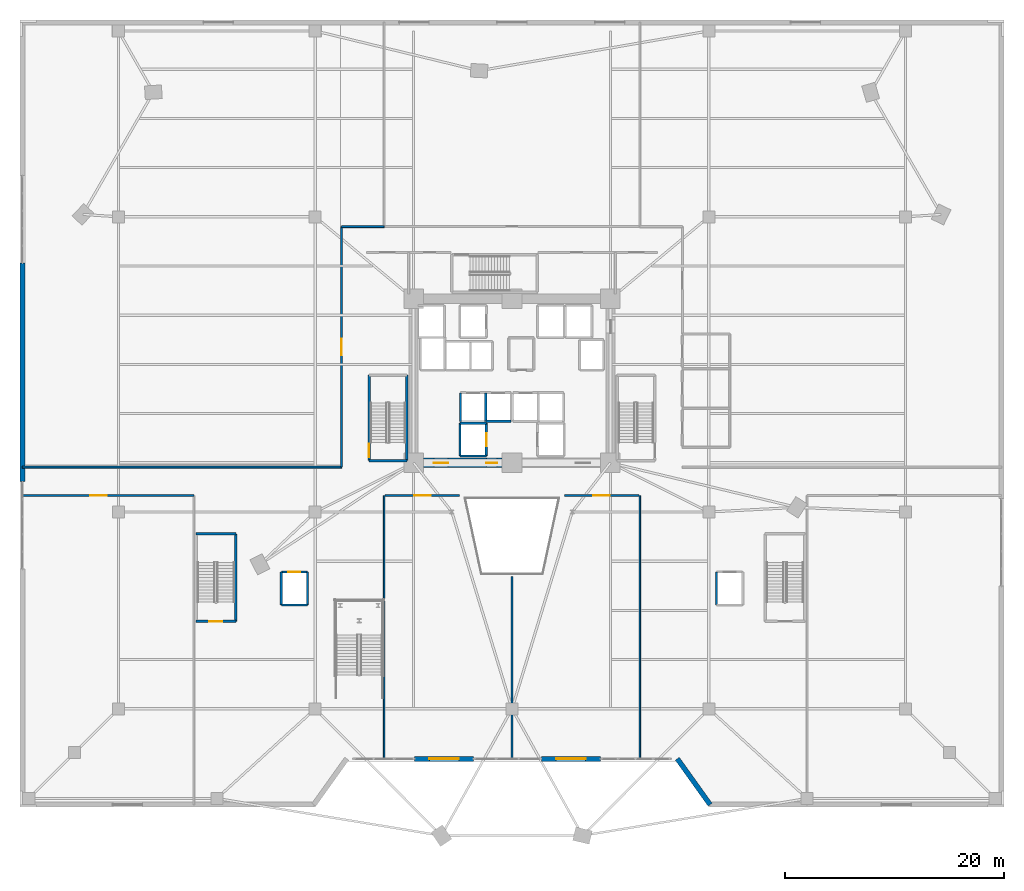
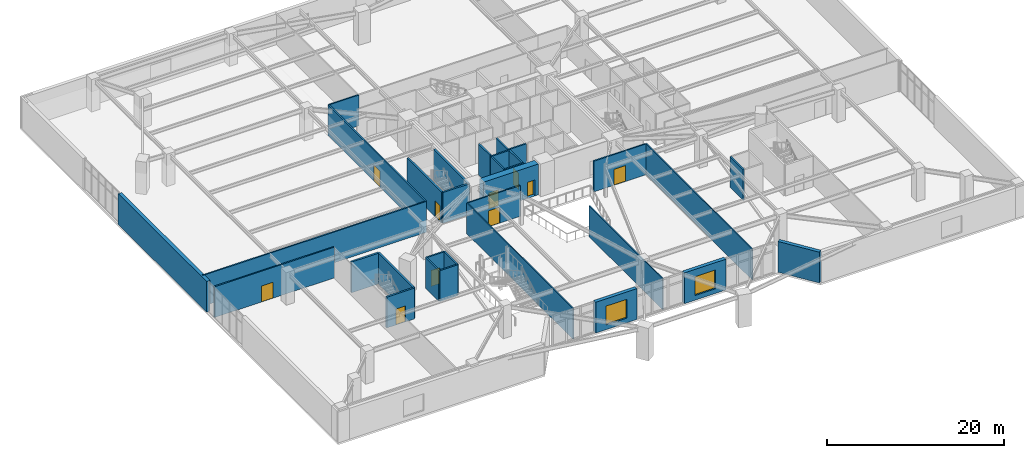
# One storey, part 19 of 29: 32 walls, 10 doors, 2 windows, 12 openings.
"""IFC4 building model written with IfcOpenShell, lengths in metres."""

import ifcopenshell
import ifcopenshell.guid

model = None  # the IFC model being written
_history = None  # IfcOwnerHistory: only IFC2X3 demands one
_inside = {}  # id of a spatial element -> (the spatial element, [elements in it])
_under = {}  # id of a project, library or spatial element -> (it, [spatial elements below it])
_declared = {}  # id of a project -> (the project, [libraries it declares])
_typed = {}  # id of a type object -> (the type object, [elements of that type])
_made_of = {}  # id of a material, layer set ... -> (it, [elements and type objects made of it])


def new_model(schema):
    """Start an empty IFC model of exactly this schema.

    Asked for "IFC4X3", IfcOpenShell would pick the latest addendum, in which some entities
    have other attributes; the version numbers below select the first issue.
    IFC2X3 requires an IfcOwnerHistory on every rooted entity: one is made here for all.
    """
    global model, _history
    if schema == "IFC4X3":
        model = ifcopenshell.file(schema_version=(4, 3, 0, 0))
    else:
        model = ifcopenshell.file(schema=schema)
    _inside.clear()
    _under.clear()
    _declared.clear()
    _typed.clear()
    _made_of.clear()
    _history = None
    if model.schema == "IFC2X3":
        org = make("IfcOrganization", Name="unknown")
        user = make(
            "IfcPersonAndOrganization",
            ThePerson=make("IfcPerson", FamilyName="unknown"),
            TheOrganization=org,
        )
        app = make(
            "IfcApplication",
            ApplicationDeveloper=org,
            Version="unknown",
            ApplicationFullName="unknown",
            ApplicationIdentifier="unknown",
        )
        _history = make(
            "IfcOwnerHistory",
            OwningUser=user,
            OwningApplication=app,
            ChangeAction="ADDED",
            CreationDate=0,
        )
    return model


def make(cls, **values):
    """One entity of the class cls with the attributes given. An attribute that is None is left unset."""
    return model.create_entity(
        cls, **{name: value for name, value in values.items() if value is not None}
    )


def rooted(cls, **values):
    """An entity with a GlobalId (a new one), such as an element, a storey or a relation."""
    return make(cls, GlobalId=ifcopenshell.guid.new(), OwnerHistory=_history, **values)


def si_unit(unit_type, name, prefix=None):
    """IfcSIUnit, for example si_unit("LENGTHUNIT", "METRE", prefix="MILLI")."""
    return make("IfcSIUnit", UnitType=unit_type, Prefix=prefix, Name=name)


def assignment(units):
    """IfcUnitAssignment: the units of a project."""
    return None if units is None else make("IfcUnitAssignment", Units=units)


def point(xyz):
    """IfcCartesianPoint."""
    return None if xyz is None else make("IfcCartesianPoint", Coordinates=xyz)


def direction(xyz):
    """IfcDirection."""
    return None if xyz is None else make("IfcDirection", DirectionRatios=xyz)


def frame(location, z_axis=None, x_axis=None):
    """IfcAxis2Placement3D, a coordinate frame: its origin and axes. An axis left out is left unset."""
    return make(
        "IfcAxis2Placement3D",
        Location=point(location),
        Axis=direction(z_axis),
        RefDirection=direction(x_axis),
    )


def frame_2d(location, x_axis=None):
    """IfcAxis2Placement2D, a coordinate frame in the plane: its origin and x axis."""
    return make(
        "IfcAxis2Placement2D", Location=point(location), RefDirection=direction(x_axis)
    )


def origin():
    """The frame at (0, 0, 0) with its axes left unset."""
    return frame((0.0, 0.0, 0.0))


def place(relative_to, where):
    """IfcLocalPlacement: puts the frame where relative to a parent placement (None: the world)."""
    return make(
        "IfcLocalPlacement", PlacementRelTo=relative_to, RelativePlacement=where
    )


def context(
    kind, dimensions, precision=None, world=None, true_north=None, identifier=None
):
    """IfcGeometricRepresentationContext, for example the 3D "Model" context."""
    return make(
        "IfcGeometricRepresentationContext",
        ContextIdentifier=identifier,
        ContextType=kind,
        CoordinateSpaceDimension=dimensions,
        Precision=precision,
        WorldCoordinateSystem=world,
        TrueNorth=true_north,
    )


def subcontext(parent, identifier, kind, view, scale=None):
    """IfcGeometricRepresentationSubContext, for example "Body" below "Model"."""
    return make(
        "IfcGeometricRepresentationSubContext",
        ContextIdentifier=identifier,
        ContextType=kind,
        ParentContext=parent,
        TargetScale=scale,
        TargetView=view,
    )


def project(units=None, contexts=None):
    """IfcProject with its units and contexts."""
    return rooted(
        "IfcProject",
        Name="project",
        RepresentationContexts=contexts,
        UnitsInContext=assignment(units),
    )


def spatial(cls, under=None, at=None, **own):
    """A site, building, storey or space (cls), placed at a placement, below another one or the project."""
    s = rooted(cls, ObjectPlacement=at, **own)
    if under is not None:
        _under.setdefault(under.id(), (under, []))[1].append(s)
    return s


def profile(cls, at=None, kind="AREA", **sizes):
    """A parametric profile (cls). Its sizes go by their IFC names, for example OverallWidth=200.0."""
    return make(cls, ProfileType=kind, Position=at, **sizes)


def rectangle(**sizes):
    """IfcRectangleProfileDef."""
    return profile("IfcRectangleProfileDef", **sizes)


def extrude(swept, where, along, depth):
    """IfcExtrudedAreaSolid: the profile swept, set in the frame where, extruded along a direction by depth."""
    return make(
        "IfcExtrudedAreaSolid",
        SweptArea=swept,
        Position=where,
        ExtrudedDirection=direction(along),
        Depth=depth,
    )


def shape(context_of_items, identifier, shape_type, items):
    """IfcShapeRepresentation: the items that make up one representation, for example the "Body"."""
    return make(
        "IfcShapeRepresentation",
        ContextOfItems=context_of_items,
        RepresentationIdentifier=identifier,
        RepresentationType=shape_type,
        Items=items,
    )


def source(mapping_origin, context_of_items, identifier, shape_type, items):
    """IfcRepresentationMap: a shape defined once, which mapped items show again and again."""
    return make(
        "IfcRepresentationMap",
        MappingOrigin=mapping_origin,
        MappedRepresentation=shape(context_of_items, identifier, shape_type, items),
    )


def transform(
    local_origin,
    x_axis=None,
    y_axis=None,
    z_axis=None,
    scale=None,
    scale2=None,
    scale3=None,
    uniform=True,
):
    """IfcCartesianTransformationOperator3D, or its non-uniform kind. x_axis, y_axis, z_axis: its Axis1, 2, 3."""
    if uniform:
        return make(
            "IfcCartesianTransformationOperator3D",
            Axis1=direction(x_axis),
            Axis2=direction(y_axis),
            LocalOrigin=point(local_origin),
            Scale=scale,
            Axis3=direction(z_axis),
        )
    return make(
        "IfcCartesianTransformationOperator3DnonUniform",
        Axis1=direction(x_axis),
        Axis2=direction(y_axis),
        LocalOrigin=point(local_origin),
        Scale=scale,
        Axis3=direction(z_axis),
        Scale2=scale2,
        Scale3=scale3,
    )


def mapped(mapping_source, mapping_target):
    """IfcMappedItem: shows the shape of a source again, moved by a transform."""
    return make(
        "IfcMappedItem", MappingSource=mapping_source, MappingTarget=mapping_target
    )


def material(Name=None, Category=None):
    """IfcMaterial."""
    return make("IfcMaterial", Name=Name, Category=Category)


def layer(
    of_material, thickness, ventilated=None, Name=None, Category=None, Priority=None
):
    """IfcMaterialLayer: one layer of a wall or slab, of a material (None: an air gap)."""
    return make(
        "IfcMaterialLayer",
        Material=of_material,
        LayerThickness=thickness,
        IsVentilated=ventilated,
        Name=Name,
        Category=Category,
        Priority=Priority,
    )


def layer_set(layers, Name=None):
    """IfcMaterialLayerSet."""
    return make("IfcMaterialLayerSet", MaterialLayers=layers, LayerSetName=Name)


def made_of(thing, what):
    """Note that an element or type object is made of a material, layer set ...; save() writes the relation."""
    if what is not None:
        _made_of.setdefault(what.id(), (what, []))[1].append(thing)
    return thing


def type_object(cls, material=None, **own):
    """A type object (cls), such as IfcWallType, which elements share."""
    return made_of(rooted(cls, **own), material)


def element(
    cls,
    number,
    at=None,
    inside=None,
    cuts=None,
    type_object=None,
    material=None,
    context=None,
    identifier="Body",
    shape_type=None,
    held_by="IfcProductDefinitionShape",
    body=None,
    shapes=None,
    **own,
):
    """One element of the class cls, such as IfcWall. Its Tag is "e" and its number.

    at: its placement. inside: the storey or other place that contains it. cuts: it is an
    opening in that element (IfcRelVoidsElement). A single representation is given by context,
    identifier, shape_type and body (its items); several are given by shapes. held_by: the class
    of the entity that holds the representations. save() writes the other relations.
    """
    e = rooted(cls, Tag="e%d" % number, ObjectPlacement=at, **own)
    if body is not None:
        shapes = [shape(context, identifier, shape_type, body)]
    if shapes is not None:
        e.Representation = make(held_by, Representations=shapes)
    if inside is not None:
        _inside.setdefault(inside.id(), (inside, []))[1].append(e)
    if cuts is not None:
        rooted(
            "IfcRelVoidsElement", RelatingBuildingElement=cuts, RelatedOpeningElement=e
        )
    if type_object is not None:
        _typed.setdefault(type_object.id(), (type_object, []))[1].append(e)
    return made_of(e, material)


def fill(opening, filler):
    """IfcRelFillsElement: the door or window that sits in an opening."""
    return rooted(
        "IfcRelFillsElement",
        RelatingOpeningElement=opening,
        RelatedBuildingElement=filler,
    )


def aggregate(whole, parts):
    """IfcRelAggregates: a whole, such as a stair, and the parts it consists of."""
    return rooted("IfcRelAggregates", RelatingObject=whole, RelatedObjects=parts)


def save(model, path):
    """Write the relations noted so far, then the file.

    IfcRelAggregates (storeys below a building ...), IfcRelContainedInSpatialStructure (elements
    in a storey), IfcRelDefinesByType, IfcRelAssociatesMaterial and IfcRelDeclares: one each for
    every whole, place, type object, material and project.
    """
    for whole, parts in _under.values():
        aggregate(whole, parts)
    for where, things in _inside.values():
        rooted(
            "IfcRelContainedInSpatialStructure",
            RelatedElements=things,
            RelatingStructure=where,
        )
    for kind, things in _typed.values():
        rooted("IfcRelDefinesByType", RelatedObjects=things, RelatingType=kind)
    for what, things in _made_of.values():
        rooted("IfcRelAssociatesMaterial", RelatedObjects=things, RelatingMaterial=what)
    for by, libraries in _declared.values():
        rooted("IfcRelDeclares", RelatingContext=by, RelatedDefinitions=libraries)
    model.write(path)


model = new_model("IFC4")

# Units and contexts
model_context = context("Model", 3, precision=1e-05, world=origin(), true_north=direction((0.0, 1.0)))
body_context = subcontext(model_context, "Body", "Model", "MODEL_VIEW")
ifc_project = project(units=[si_unit("LENGTHUNIT", "METRE"), si_unit("AREAUNIT", "SQUARE_METRE"), si_unit("VOLUMEUNIT", "CUBIC_METRE"), si_unit("PLANEANGLEUNIT", "RADIAN"), si_unit("MASSUNIT", "GRAM", prefix="KILO")], contexts=[model_context])

# Site, building, storey
site_placement = place(None, origin())
site = spatial("IfcSite", under=ifc_project, at=site_placement, CompositionType="ELEMENT")
building_placement = place(site_placement, origin())
building = spatial("IfcBuilding", under=site, at=building_placement, Name="Liaohun Quay Tower", CompositionType="ELEMENT")
storey_placement = place(building_placement, frame((0.0, 0.0, 5.39990234375)))
storey = spatial("IfcBuildingStorey", under=building, at=storey_placement, Name="L02", CompositionType="ELEMENT", Elevation=5.39990234375)

# Wall, openings, doors
ifc_material_1 = material(Name="Concrete C60", Category="concrete")
ifc_layer_1 = layer(ifc_material_1, 0.85009765625, Name="Concrete C60", Category="concrete")
ifc_layer_set_1 = layer_set([ifc_layer_1], Name="Concrete C60")
wall_type_1 = type_object("IfcWallType", Name="WAL-COR-Z1", PredefinedType="SHEAR", material=ifc_layer_set_1)
wall_1_placement = place(storey_placement, frame((59.10009765625, 46.5, 0.0), z_axis=(0.0, 0.0, 1.0), x_axis=(-1.0, 0.0, 0.0)))
wall_1 = element("IfcWall", 1, at=wall_1_placement, inside=storey, type_object=wall_type_1, Name="L02 Central Core Shear Wall S-W", PredefinedType="SHEAR", context=body_context, shape_type="SweptSolid", body=[
    extrude(rectangle(XDim=7.2001953125, YDim=0.85009765625, at=frame_2d((3.60009765625, 0.0))), origin(), (0.0, 0.0, 1.0), 4.25),
])
shared_shape_1 = source(origin(), body_context, "Body", "SweptSolid", [
    extrude(rectangle(XDim=1.300048828125, YDim=2.199951171875, at=frame_2d((0.64990234375, 1.10009765625))), frame((0.0, 0.43505859375, 0.0), z_axis=(0.0, -1.0, 0.0), x_axis=(1.0, 0.0, 0.0)), (0.0, 0.0, 1.0), 0.8701171875),
])
opening_1_placement = place(wall_1_placement, frame((4.949951171875, 0.0, 0.0)))
opening_1 = element("IfcOpeningElement", 2, at=opening_1_placement, cuts=wall_1, Name="Opening FD1", PredefinedType="OPENING", context=body_context, shape_type="MappedRepresentation", body=[
    mapped(shared_shape_1, transform((0.0, 0.0, 0.0), x_axis=(1.0, 0.0, 0.0), y_axis=(0.0, 1.0, 0.0), z_axis=(0.0, 0.0, 1.0), scale=1.0)),
])
shared_shape_2 = source(origin(), body_context, "Body", "SweptSolid", [
    extrude(rectangle(XDim=1.0, YDim=2.199951171875, at=frame_2d((0.5, 1.10009765625))), frame((0.0, 0.43505859375, 0.0), z_axis=(0.0, -1.0, 0.0), x_axis=(1.0, 0.0, 0.0)), (0.0, 0.0, 1.0), 0.8701171875),
])
opening_2_placement = place(wall_1_placement, frame((0.449951171875, 0.0, 0.0)))
opening_2 = element("IfcOpeningElement", 3, at=opening_2_placement, cuts=wall_1, Name="Opening FD2", PredefinedType="OPENING", context=body_context, shape_type="MappedRepresentation", body=[
    mapped(shared_shape_2, transform((0.0, 0.0, 0.0), x_axis=(1.0, 0.0, 0.0), y_axis=(0.0, 1.0, 0.0), z_axis=(0.0, 0.0, 1.0), scale=1.0)),
])
ifc_material_2 = material(Name="Galvanised steel smokeproof fire door", Category="steel")
door_type_1 = type_object("IfcDoorType", Name="DOR-FFL-1300", OperationType="NOTDEFINED", PredefinedType="DOOR", material=ifc_material_2)
shared_shape_3 = source(origin(), body_context, "Body", "SweptSolid", [
    extrude(rectangle(XDim=1.300048828125, YDim=2.199951171875, at=frame_2d((0.64990234375, 1.10009765625))), frame((0.0, 0.02490234375, 0.0), z_axis=(0.0, -1.0, 0.0), x_axis=(1.0, 0.0, 0.0)), (0.0, 0.0, 1.0), 0.050048828125),
])
door_1_placement = place(opening_1_placement, origin())
door_1 = element("IfcDoor", 4, at=door_1_placement, inside=storey, type_object=door_type_1, Name="L02 West Core Lift Lobby Smokeproof Door", OperationType="SINGLE_SWING_RIGHT", OverallHeight=2.199951171875, OverallWidth=1.300048828125, PredefinedType="DOOR", context=body_context, shape_type="MappedRepresentation", body=[
    mapped(shared_shape_3, transform((0.0, 0.0, 0.0), x_axis=(1.0, 0.0, 0.0), y_axis=(0.0, 1.0, 0.0), z_axis=(0.0, 0.0, 1.0), scale=1.0)),
])
fill(opening_1, door_1)
ifc_material_3 = material(Name="Galvanised steel smokeproof lobby fire door", Category="steel")
door_type_2 = type_object("IfcDoorType", Name="DOR-FFL-1000", OperationType="NOTDEFINED", PredefinedType="DOOR", material=ifc_material_3)
shared_shape_4 = source(origin(), body_context, "Body", "SweptSolid", [
    extrude(rectangle(XDim=1.0, YDim=2.199951171875, at=frame_2d((0.5, 1.10009765625))), frame((0.0, 0.02490234375, 0.0), z_axis=(0.0, -1.0, 0.0), x_axis=(1.0, 0.0, 0.0)), (0.0, 0.0, 1.0), 0.050048828125),
])
door_2_placement = place(opening_2_placement, origin())
door_2 = element("IfcDoor", 5, at=door_2_placement, inside=storey, type_object=door_type_2, Name="L02 South Firefighting Lobby Smokeproof Door", OperationType="SINGLE_SWING_LEFT", OverallHeight=2.199951171875, OverallWidth=1.0, PredefinedType="DOOR", context=body_context, shape_type="MappedRepresentation", body=[
    mapped(shared_shape_4, transform((0.0, 0.0, 0.0), x_axis=(1.0, 0.0, 0.0), y_axis=(0.0, 1.0, 0.0), z_axis=(0.0, 0.0, 1.0), scale=1.0)),
])
fill(opening_2, door_2)

# Wall, opening, window
ifc_material_4 = material(Name="Precast concrete C50 with granite facing", Category="masonry")
ifc_layer_2 = layer(ifc_material_4, 0.4599609375, Name="Precast concrete C50 with granite facing", Category="masonry")
ifc_layer_set_2 = layer_set([ifc_layer_2], Name="Precast concrete C50 with granite facing")
wall_type_2 = type_object("IfcWallType", Name="WAL-EXT-POD", PredefinedType="SOLIDWALL", material=ifc_layer_set_2)
wall_2_placement = place(storey_placement, frame((51.08203125, 19.429931640625, 0.0), z_axis=(0.0, 0.0, 1.0), x_axis=(1.0, 0.0, 0.0)))
wall_2 = element("IfcWall", 6, at=wall_2_placement, inside=storey, type_object=wall_type_2, Name="L02 Waterfront Entrance Portal Wall E", PredefinedType="SOLIDWALL", context=body_context, shape_type="SweptSolid", body=[
    extrude(rectangle(XDim=5.39990234375, YDim=0.4599609375, at=frame_2d((2.699951171875, 0.0))), origin(), (0.0, 0.0, 1.0), 4.25),
])
shared_shape_5 = source(origin(), body_context, "Body", "SweptSolid", [
    extrude(rectangle(XDim=2.699951171875, YDim=2.60009765625, at=frame_2d((1.35009765625, 1.300048828125))), frame((0.0, 0.239990234375, 0.0), z_axis=(0.0, -1.0, 0.0), x_axis=(1.0, 0.0, 0.0)), (0.0, 0.0, 1.0), 0.47998046875),
])
opening_3_placement = place(wall_2_placement, frame((1.35009765625, 0.0, 0.64990234375)))
opening_3 = element("IfcOpeningElement", 7, at=opening_3_placement, cuts=wall_2, Name="Opening W06", PredefinedType="OPENING", context=body_context, shape_type="MappedRepresentation", body=[
    mapped(shared_shape_5, transform((0.0, 0.0, 0.0), x_axis=(1.0, 0.0, 0.0), y_axis=(0.0, 1.0, 0.0), z_axis=(0.0, 0.0, 1.0), scale=1.0)),
])
ifc_material_5 = material(Name="Triple Low-E waterfront podium glazing", Category="glass")
window_type = type_object("IfcWindowType", Name="WIN-POD-ARC", PartitioningType="TRIPLE_PANEL_VERTICAL", PredefinedType="WINDOW", material=ifc_material_5)
shared_shape_6 = source(origin(), body_context, "Body", "SweptSolid", [
    extrude(rectangle(XDim=2.699951171875, YDim=2.60009765625, at=frame_2d((1.35009765625, 1.300048828125))), frame((0.0, 0.030029296875, 0.0), z_axis=(0.0, -1.0, 0.0), x_axis=(1.0, 0.0, 0.0)), (0.0, 0.0, 1.0), 0.06005859375),
])
window_1_placement = place(opening_3_placement, origin())
window_1 = element("IfcWindow", 8, at=window_1_placement, inside=storey, type_object=window_type, Name="L02 Waterfront Arcade Window E", OverallHeight=2.60009765625, OverallWidth=2.699951171875, PartitioningType="TRIPLE_PANEL_VERTICAL", PredefinedType="WINDOW", context=body_context, shape_type="MappedRepresentation", body=[
    mapped(shared_shape_6, transform((0.0, 0.0, 0.0), x_axis=(1.0, 0.0, 0.0), y_axis=(0.0, 1.0, 0.0), z_axis=(0.0, 0.0, 1.0), scale=1.0)),
])
fill(opening_3, window_1)

wall_3_placement = place(storey_placement, frame((62.681884765625, 19.429931640625, 0.0), z_axis=(0.0, 0.0, 1.0), x_axis=(1.0, 0.0, 0.0)))
wall_3 = element("IfcWall", 9, at=wall_3_placement, inside=storey, type_object=wall_type_2, Name="L02 Waterfront Entrance Portal Wall W", PredefinedType="SOLIDWALL", context=body_context, shape_type="SweptSolid", body=[
    extrude(rectangle(XDim=5.400146484375, YDim=0.4599609375, at=frame_2d((2.7001953125, 0.0))), origin(), (0.0, 0.0, 1.0), 4.25),
])
opening_4_placement = place(wall_3_placement, frame((1.35009765625, 0.0, 0.64990234375)))
opening_4 = element("IfcOpeningElement", 10, at=opening_4_placement, cuts=wall_3, Name="Opening W06", PredefinedType="OPENING", context=body_context, shape_type="MappedRepresentation", body=[
    mapped(shared_shape_5, transform((0.0, 0.0, 0.0), x_axis=(1.0, 0.0, 0.0), y_axis=(0.0, 1.0, 0.0), z_axis=(0.0, 0.0, 1.0), scale=1.0)),
])
window_2_placement = place(opening_4_placement, origin())
window_2 = element("IfcWindow", 11, at=window_2_placement, inside=storey, type_object=window_type, Name="L02 Waterfront Arcade Window W", OverallHeight=2.60009765625, OverallWidth=2.699951171875, PartitioningType="TRIPLE_PANEL_VERTICAL", PredefinedType="WINDOW", context=body_context, shape_type="MappedRepresentation", body=[
    mapped(shared_shape_6, transform((0.0, 0.0, 0.0), x_axis=(1.0, 0.0, 0.0), y_axis=(0.0, 1.0, 0.0), z_axis=(0.0, 0.0, 1.0), scale=1.0)),
])
fill(opening_4, window_2)

# Walls
wall_4_placement = place(storey_placement, frame((75.117919921875, 19.429931640625, 0.0), z_axis=(0.0, 0.0, 1.0), x_axis=(0.581242668191, -0.813730275137, 0.0)))
element("IfcWall", 12, at=wall_4_placement, inside=storey, type_object=wall_type_2, Name="L02 Podium Precast Facade Wall 03", PredefinedType="SOLIDWALL", context=body_context, shape_type="SweptSolid", body=[
    extrude(rectangle(XDim=5.161376953125, YDim=0.4599609375, at=frame_2d((2.58056640625, 0.0))), origin(), (0.0, 0.0, 1.0), 4.25),
])
wall_5_placement = place(storey_placement, frame((15.22998046875, 64.77001953125, 0.0), z_axis=(0.0, 0.0, 1.0), x_axis=(0.0, -1.0, 0.0)))
element("IfcWall", 13, at=wall_5_placement, inside=storey, type_object=wall_type_2, Name="L02 Podium Precast Facade Wall 7-2", PredefinedType="SOLIDWALL", context=body_context, shape_type="SweptSolid", body=[
    extrude(rectangle(XDim=20.0, YDim=0.4599609375, at=frame_2d((10.0, 0.0))), origin(), (0.0, 0.0, 1.0), 4.25),
])

# Wall, opening, door
ifc_material_6 = material(Name="Autoclaved aerated concrete blockwork", Category="masonry")
ifc_layer_3 = layer(ifc_material_6, 0.179931640625, Name="Autoclaved aerated concrete blockwork", Category="masonry")
ifc_layer_set_3 = layer_set([ifc_layer_3], Name="Autoclaved aerated concrete blockwork")
wall_type_3 = type_object("IfcWallType", Name="WAL-PRT-COR", PredefinedType="PARTITIONING", material=ifc_layer_set_3)
wall_6_placement = place(storey_placement, frame((48.39990234375, 43.5, 0.0), z_axis=(0.0, 0.0, 1.0), x_axis=(1.0, 0.0, 0.0)))
wall_6 = element("IfcWall", 14, at=wall_6_placement, inside=storey, type_object=wall_type_3, Name="L02 Interior Partition Wall 009", PredefinedType="PARTITIONING", context=body_context, shape_type="SweptSolid", body=[
    extrude(rectangle(XDim=6.800048828125, YDim=0.179931640625, at=frame_2d((3.39990234375, 0.0))), origin(), (0.0, 0.0, 1.0), 4.25),
])
shared_shape_7 = source(origin(), body_context, "Body", "SweptSolid", [
    extrude(rectangle(XDim=1.5, YDim=2.199951171875, at=frame_2d((0.75, 1.10009765625))), frame((0.0, 0.099853515625, 0.0), z_axis=(0.0, -1.0, 0.0), x_axis=(1.0, 0.0, 0.0)), (0.0, 0.0, 1.0), 0.199951171875),
])
opening_5_placement = place(wall_6_placement, frame((2.64990234375, 0.0, 0.0)))
opening_5 = element("IfcOpeningElement", 15, at=opening_5_placement, cuts=wall_6, Name="Opening OD2", PredefinedType="OPENING", context=body_context, shape_type="MappedRepresentation", body=[
    mapped(shared_shape_7, transform((0.0, 0.0, 0.0), x_axis=(1.0, 0.0, 0.0), y_axis=(0.0, 1.0, 0.0), z_axis=(0.0, 0.0, 1.0), scale=1.0)),
])
ifc_material_7 = material(Name="Acoustic oak veneer double door")
door_type_3 = type_object("IfcDoorType", Name="DOR-OFF-1500", OperationType="DOUBLE_DOOR_SINGLE_SWING", PredefinedType="DOOR", material=ifc_material_7)
shared_shape_8 = source(origin(), body_context, "Body", "SweptSolid", [
    extrude(rectangle(XDim=1.5, YDim=2.199951171875, at=frame_2d((0.75, 1.10009765625))), frame((0.0, 0.02490234375, 0.0), z_axis=(0.0, -1.0, 0.0), x_axis=(1.0, 0.0, 0.0)), (0.0, 0.0, 1.0), 0.050048828125),
])
door_3_placement = place(opening_5_placement, origin())
door_3 = element("IfcDoor", 16, at=door_3_placement, inside=storey, type_object=door_type_3, Name="L02 Atrium Belvedere Lounge West Door", OperationType="DOUBLE_DOOR_SINGLE_SWING", OverallHeight=2.199951171875, OverallWidth=1.5, PredefinedType="DOOR", context=body_context, shape_type="MappedRepresentation", body=[
    mapped(shared_shape_8, transform((0.0, 0.0, 0.0), x_axis=(1.0, 0.0, 0.0), y_axis=(0.0, 1.0, 0.0), z_axis=(0.0, 0.0, 1.0), scale=1.0)),
])
fill(opening_5, door_3)

wall_7_placement = place(storey_placement, frame((64.800048828125, 43.5, 0.0), z_axis=(0.0, 0.0, 1.0), x_axis=(1.0, 0.0, 0.0)))
wall_7 = element("IfcWall", 17, at=wall_7_placement, inside=storey, type_object=wall_type_3, Name="L02 Interior Partition Wall 010", PredefinedType="PARTITIONING", context=body_context, shape_type="SweptSolid", body=[
    extrude(rectangle(XDim=6.800048828125, YDim=0.179931640625, at=frame_2d((3.39990234375, 0.0))), origin(), (0.0, 0.0, 1.0), 4.25),
])
opening_6_placement = place(wall_7_placement, frame((2.64990234375, 0.0, 0.0)))
opening_6 = element("IfcOpeningElement", 18, at=opening_6_placement, cuts=wall_7, Name="Opening OD2", PredefinedType="OPENING", context=body_context, shape_type="MappedRepresentation", body=[
    mapped(shared_shape_7, transform((0.0, 0.0, 0.0), x_axis=(1.0, 0.0, 0.0), y_axis=(0.0, 1.0, 0.0), z_axis=(0.0, 0.0, 1.0), scale=1.0)),
])
door_4_placement = place(opening_6_placement, origin())
door_4 = element("IfcDoor", 19, at=door_4_placement, inside=storey, type_object=door_type_3, Name="L02 Atrium Belvedere Lounge East Door", OperationType="DOUBLE_DOOR_SINGLE_SWING", OverallHeight=2.199951171875, OverallWidth=1.5, PredefinedType="DOOR", context=body_context, shape_type="MappedRepresentation", body=[
    mapped(shared_shape_8, transform((0.0, 0.0, 0.0), x_axis=(1.0, 0.0, 0.0), y_axis=(0.0, 1.0, 0.0), z_axis=(0.0, 0.0, 1.0), scale=1.0)),
])
fill(opening_6, door_4)

wall_8_placement = place(storey_placement, frame((15.22509765625, 43.5, 0.0), z_axis=(0.0, 0.0, 1.0), x_axis=(1.0, 0.0, 0.0)))
wall_8 = element("IfcWall", 20, at=wall_8_placement, inside=storey, type_object=wall_type_3, Name="L02 Interior Partition Wall 011", PredefinedType="PARTITIONING", context=body_context, shape_type="SweptSolid", body=[
    extrude(rectangle(XDim=15.6748046875, YDim=0.179931640625, at=frame_2d((7.83740234375, 0.0))), origin(), (0.0, 0.0, 1.0), 4.25),
])
opening_7_placement = place(wall_8_placement, frame((6.18798828125, 0.0, 0.0)))
opening_7 = element("IfcOpeningElement", 21, at=opening_7_placement, cuts=wall_8, Name="Opening OD2", PredefinedType="OPENING", context=body_context, shape_type="MappedRepresentation", body=[
    mapped(shared_shape_7, transform((0.0, 0.0, 0.0), x_axis=(1.0, 0.0, 0.0), y_axis=(0.0, 1.0, 0.0), z_axis=(0.0, 0.0, 1.0), scale=1.0)),
])
door_5_placement = place(opening_7_placement, origin())
door_5 = element("IfcDoor", 22, at=door_5_placement, inside=storey, type_object=door_type_3, Name="L02 West Podium Retail Gallery Door", OperationType="DOUBLE_DOOR_SINGLE_SWING", OverallHeight=2.199951171875, OverallWidth=1.5, PredefinedType="DOOR", context=body_context, shape_type="MappedRepresentation", body=[
    mapped(shared_shape_8, transform((0.0, 0.0, 0.0), x_axis=(1.0, 0.0, 0.0), y_axis=(0.0, 1.0, 0.0), z_axis=(0.0, 0.0, 1.0), scale=1.0)),
])
fill(opening_7, door_5)

wall_9_placement = place(storey_placement, frame((44.419921875, 46.10009765625, 0.0), z_axis=(0.0, 0.0, 1.0), x_axis=(0.0, 1.0, 0.0)))
wall_9 = element("IfcWall", 23, at=wall_9_placement, inside=storey, type_object=wall_type_3, Name="L02 Interior Partition Wall 013", PredefinedType="PARTITIONING", context=body_context, shape_type="SweptSolid", body=[
    extrude(rectangle(XDim=22.0, YDim=0.179931640625, at=frame_2d((11.0, 0.0))), origin(), (0.0, 0.0, 1.0), 4.25),
])
opening_8_placement = place(wall_9_placement, frame((10.25, 0.0, 0.0)))
opening_8 = element("IfcOpeningElement", 24, at=opening_8_placement, cuts=wall_9, Name="Opening OD2", PredefinedType="OPENING", context=body_context, shape_type="MappedRepresentation", body=[
    mapped(shared_shape_7, transform((0.0, 0.0, 0.0), x_axis=(1.0, 0.0, 0.0), y_axis=(0.0, 1.0, 0.0), z_axis=(0.0, 0.0, 1.0), scale=1.0)),
])
door_6_placement = place(opening_8_placement, origin())
door_6 = element("IfcDoor", 25, at=door_6_placement, inside=storey, type_object=door_type_3, Name="L02 Northwest Design Showroom Door", OperationType="DOUBLE_DOOR_SINGLE_SWING", OverallHeight=2.199951171875, OverallWidth=1.5, PredefinedType="DOOR", context=body_context, shape_type="MappedRepresentation", body=[
    mapped(shared_shape_8, transform((0.0, 0.0, 0.0), x_axis=(1.0, 0.0, 0.0), y_axis=(0.0, 1.0, 0.0), z_axis=(0.0, 0.0, 1.0), scale=1.0)),
])
fill(opening_8, door_6)

# Walls
wall_10_placement = place(storey_placement, frame((15.22509765625, 46.10009765625, 0.0), z_axis=(0.0, 0.0, 1.0), x_axis=(1.0, 0.0, 0.0)))
element("IfcWall", 26, at=wall_10_placement, inside=storey, type_object=wall_type_3, Name="L02 Interior Partition Wall 024", PredefinedType="PARTITIONING", context=body_context, shape_type="SweptSolid", body=[
    extrude(rectangle(XDim=29.19482421875, YDim=0.179931640625, at=frame_2d((14.597412109375, 0.0))), origin(), (0.0, 0.0, 1.0), 4.25),
])
wall_11_placement = place(storey_placement, frame((44.419921875, 68.10009765625, 0.0), z_axis=(0.0, 0.0, 1.0), x_axis=(1.0, 0.0, 0.0)))
element("IfcWall", 27, at=wall_11_placement, inside=storey, type_object=wall_type_3, Name="L02 Interior Partition Wall 026", PredefinedType="PARTITIONING", context=body_context, shape_type="SweptSolid", body=[
    extrude(rectangle(XDim=3.880126953125, YDim=0.179931640625, at=frame_2d((1.93994140625, 0.0))), origin(), (0.0, 0.0, 1.0), 4.25),
])
ifc_material_8 = material(Name="Gypsum board on twin steel studs", Category="steel")
ifc_layer_4 = layer(ifc_material_8, 0.139892578125, Name="Gypsum board on twin steel studs", Category="steel")
ifc_layer_set_4 = layer_set([ifc_layer_4], Name="Gypsum board on twin steel studs")
wall_type_4 = type_object("IfcWallType", Name="WAL-PRT-OFF", PredefinedType="PARTITIONING", material=ifc_layer_set_4)
for number, where, z_axis, x_axis, name in (
    (28, (48.300048828125, 19.425048828125, 0.0), (0.0, 0.0, 1.0), (0.0, 1.0, 0.0), "L02 Interior Partition Wall 030"),
    (29, (71.699951171875, 19.425048828125, 0.0), (0.0, 0.0, 1.0), (0.0, 1.0, 0.0), "L02 Interior Partition Wall 031"),
):
    element("IfcWall", number, at=place(storey_placement, frame(where, z_axis=z_axis, x_axis=x_axis)), inside=storey, type_object=wall_type_4, Name=name, PredefinedType="PARTITIONING", context=body_context, shape_type="SweptSolid", body=[
        extrude(rectangle(XDim=24.074951171875, YDim=0.139892578125, at=frame_2d((12.03759765625, 0.0))), origin(), (0.0, 0.0, 1.0), 4.25),
    ])
wall_12_placement = place(storey_placement, frame((60.0, 19.425048828125, 0.0), z_axis=(0.0, 0.0, 1.0), x_axis=(0.0, 1.0, 0.0)))
element("IfcWall", 30, at=wall_12_placement, inside=storey, type_object=wall_type_4, Name="L02 Interior Partition Wall 032", PredefinedType="PARTITIONING", context=body_context, shape_type="SweptSolid", body=[
    extrude(rectangle(XDim=16.675048828125, YDim=0.139892578125, at=frame_2d((8.33740234375, 0.0))), origin(), (0.0, 0.0, 1.0), 4.25),
])
ifc_material_9 = material(Name="Concrete C50", Category="concrete")
ifc_layer_5 = layer(ifc_material_9, 0.239990234375, Name="Concrete C50", Category="concrete")
ifc_layer_set_5 = layer_set([ifc_layer_5], Name="Concrete C50")
wall_type_5 = type_object("IfcWallType", Name="WAL-SHF-200", PredefinedType="SOLIDWALL", material=ifc_layer_set_5)
wall_13_placement = place(storey_placement, frame((46.93994140625, 46.699951171875, 0.0), z_axis=(0.0, 0.0, 1.0), x_axis=(1.0, 0.0, 0.0)))
element("IfcWall", 31, at=wall_13_placement, inside=storey, type_object=wall_type_5, Name="L02 Stairwell ST-1 Structural Core Wall S", PredefinedType="SOLIDWALL", context=body_context, shape_type="SweptSolid", body=[
    extrude(rectangle(XDim=3.43994140625, YDim=0.239990234375, at=frame_2d((1.719970703125, 0.0))), origin(), (0.0, 0.0, 1.0), 4.25),
])
wall_14_placement = place(storey_placement, frame((50.3798828125, 46.699951171875, 0.0), z_axis=(0.0, 0.0, 1.0), x_axis=(0.0, 1.0, 0.0)))
element("IfcWall", 32, at=wall_14_placement, inside=storey, type_object=wall_type_5, Name="L02 Stairwell ST-1 Structural Core Wall E", PredefinedType="SOLIDWALL", context=body_context, shape_type="SweptSolid", body=[
    extrude(rectangle(XDim=7.820068359375, YDim=0.239990234375, at=frame_2d((3.91015625, 0.0))), origin(), (0.0, 0.0, 1.0), 4.25),
])

# Wall, opening, door
wall_15_placement = place(storey_placement, frame((46.93994140625, 54.52001953125, 0.0), z_axis=(0.0, 0.0, 1.0), x_axis=(0.0, -1.0, 0.0)))
wall_15 = element("IfcWall", 33, at=wall_15_placement, inside=storey, type_object=wall_type_5, Name="L02 Stairwell ST-1 Structural Core Wall W", PredefinedType="SOLIDWALL", context=body_context, shape_type="SweptSolid", body=[
    extrude(rectangle(XDim=7.820068359375, YDim=0.239990234375, at=frame_2d((3.91015625, 0.0))), origin(), (0.0, 0.0, 1.0), 4.25),
])
shared_shape_9 = source(origin(), body_context, "Body", "SweptSolid", [
    extrude(rectangle(XDim=1.199951171875, YDim=2.199951171875, at=frame_2d((0.60009765625, 1.10009765625))), frame((0.0, 0.1298828125, 0.0), z_axis=(0.0, -1.0, 0.0), x_axis=(1.0, 0.0, 0.0)), (0.0, 0.0, 1.0), 0.260009765625),
])
opening_9_placement = place(wall_15_placement, frame((6.300048828125, 0.0, 0.0)))
opening_9 = element("IfcOpeningElement", 34, at=opening_9_placement, cuts=wall_15, Name="Opening SD1", PredefinedType="OPENING", context=body_context, shape_type="MappedRepresentation", body=[
    mapped(shared_shape_9, transform((0.0, 0.0, 0.0), x_axis=(1.0, 0.0, 0.0), y_axis=(0.0, 1.0, 0.0), z_axis=(0.0, 0.0, 1.0), scale=1.0)),
])
ifc_material_10 = material(Name="Galvanised steel fire door", Category="steel")
door_type_4 = type_object("IfcDoorType", Name="DOR-STR-1200", OperationType="NOTDEFINED", PredefinedType="DOOR", material=ifc_material_10)
shared_shape_10 = source(origin(), body_context, "Body", "SweptSolid", [
    extrude(rectangle(XDim=1.199951171875, YDim=2.199951171875, at=frame_2d((0.60009765625, 1.10009765625))), frame((0.0, 0.02490234375, 0.0), z_axis=(0.0, -1.0, 0.0), x_axis=(1.0, 0.0, 0.0)), (0.0, 0.0, 1.0), 0.050048828125),
])
door_7_placement = place(opening_9_placement, origin())
door_7 = element("IfcDoor", 35, at=door_7_placement, inside=storey, type_object=door_type_4, Name="L02 Protected Stair ST-1 Fire Door", OperationType="SINGLE_SWING_LEFT", OverallHeight=2.199951171875, OverallWidth=1.199951171875, PredefinedType="DOOR", context=body_context, shape_type="MappedRepresentation", body=[
    mapped(shared_shape_10, transform((0.0, 0.0, 0.0), x_axis=(1.0, 0.0, 0.0), y_axis=(0.0, 1.0, 0.0), z_axis=(0.0, 0.0, 1.0), scale=1.0)),
])
fill(opening_9, door_7)

wall_16_placement = place(storey_placement, frame((31.10009765625, 32.0, 0.0), z_axis=(0.0, 0.0, 1.0), x_axis=(1.0, 0.0, 0.0)))
wall_16 = element("IfcWall", 36, at=wall_16_placement, inside=storey, type_object=wall_type_5, Name="L02 Stairwell ST-P1 Structural Core Wall S", PredefinedType="SOLIDWALL", context=body_context, shape_type="SweptSolid", body=[
    extrude(rectangle(XDim=3.639892578125, YDim=0.239990234375, at=frame_2d((1.81982421875, 0.0))), origin(), (0.0, 0.0, 1.0), 4.25),
])
opening_10_placement = place(wall_16_placement, frame((1.219970703125, 0.0, 0.0)))
opening_10 = element("IfcOpeningElement", 37, at=opening_10_placement, cuts=wall_16, Name="Opening SD1", PredefinedType="OPENING", context=body_context, shape_type="MappedRepresentation", body=[
    mapped(shared_shape_9, transform((0.0, 0.0, 0.0), x_axis=(1.0, 0.0, 0.0), y_axis=(0.0, 1.0, 0.0), z_axis=(0.0, 0.0, 1.0), scale=1.0)),
])
door_8_placement = place(opening_10_placement, origin())
door_8 = element("IfcDoor", 38, at=door_8_placement, inside=storey, type_object=door_type_4, Name="L02 Protected Stair ST-P1 Fire Door", OperationType="SINGLE_SWING_LEFT", OverallHeight=2.199951171875, OverallWidth=1.199951171875, PredefinedType="DOOR", context=body_context, shape_type="MappedRepresentation", body=[
    mapped(shared_shape_10, transform((0.0, 0.0, 0.0), x_axis=(1.0, 0.0, 0.0), y_axis=(0.0, 1.0, 0.0), z_axis=(0.0, 0.0, 1.0), scale=1.0)),
])
fill(opening_10, door_8)

# Walls
wall_17_placement = place(storey_placement, frame((34.739990234375, 32.0, 0.0), z_axis=(0.0, 0.0, 1.0), x_axis=(0.0, 1.0, 0.0)))
element("IfcWall", 39, at=wall_17_placement, inside=storey, type_object=wall_type_5, Name="L02 Stairwell ST-P1 Structural Core Wall E", PredefinedType="SOLIDWALL", context=body_context, shape_type="SweptSolid", body=[
    extrude(rectangle(XDim=8.0, YDim=0.239990234375, at=frame_2d((4.0, 0.0))), origin(), (0.0, 0.0, 1.0), 4.25),
])
wall_18_placement = place(storey_placement, frame((34.739990234375, 40.0, 0.0), z_axis=(0.0, 0.0, 1.0), x_axis=(-1.0, 0.0, 0.0)))
element("IfcWall", 40, at=wall_18_placement, inside=storey, type_object=wall_type_5, Name="L02 Stairwell ST-P1 Structural Core Wall N", PredefinedType="SOLIDWALL", context=body_context, shape_type="SweptSolid", body=[
    extrude(rectangle(XDim=3.639892578125, YDim=0.239990234375, at=frame_2d((1.81982421875, 0.0))), origin(), (0.0, 0.0, 1.0), 4.25),
])
wall_19_placement = place(storey_placement, frame((55.25, 47.1201171875, 0.0), z_axis=(0.0, 0.0, 1.0), x_axis=(1.0, 0.0, 0.0)))
element("IfcWall", 41, at=wall_19_placement, inside=storey, type_object=wall_type_5, Name="L02 Lift FF-01 Hoistway Wall S", PredefinedType="SOLIDWALL", context=body_context, shape_type="SweptSolid", body=[
    extrude(rectangle(XDim=2.39990234375, YDim=0.199951171875, at=frame_2d((1.199951171875, 0.0))), origin(), (0.0, 0.0, 1.0), 4.25),
])

# Wall, opening, door
wall_20_placement = place(storey_placement, frame((57.64990234375, 47.1201171875, 0.0), z_axis=(0.0, 0.0, 1.0), x_axis=(0.0, 1.0, 0.0)))
wall_20 = element("IfcWall", 42, at=wall_20_placement, inside=storey, type_object=wall_type_5, Name="L02 Lift FF-01 Hoistway Wall E", PredefinedType="SOLIDWALL", context=body_context, shape_type="SweptSolid", body=[
    extrude(rectangle(XDim=3.0, YDim=0.199951171875, at=frame_2d((1.5, 0.0))), origin(), (0.0, 0.0, 1.0), 4.25),
])
shared_shape_11 = source(origin(), body_context, "Body", "SweptSolid", [
    extrude(rectangle(XDim=1.199951171875, YDim=2.300048828125, at=frame_2d((0.60009765625, 1.14990234375))), frame((0.0, 0.10986328125, 0.0), z_axis=(0.0, -1.0, 0.0), x_axis=(1.0, 0.0, 0.0)), (0.0, 0.0, 1.0), 0.219970703125),
])
opening_11_placement = place(wall_20_placement, frame((0.89990234375, 0.0, 0.0)))
opening_11 = element("IfcOpeningElement", 43, at=opening_11_placement, cuts=wall_20, Name="Opening LD2", PredefinedType="OPENING", context=body_context, shape_type="MappedRepresentation", body=[
    mapped(shared_shape_11, transform((0.0, 0.0, 0.0), x_axis=(1.0, 0.0, 0.0), y_axis=(0.0, 1.0, 0.0), z_axis=(0.0, 0.0, 1.0), scale=1.0)),
])
ifc_material_11 = material(Name="Brushed stainless steel stretcher landing door", Category="steel")
door_type_5 = type_object("IfcDoorType", Name="DOR-LFT-1200", OperationType="SLIDING_TO_LEFT", PredefinedType="DOOR", material=ifc_material_11)
shared_shape_12 = source(origin(), body_context, "Body", "SweptSolid", [
    extrude(rectangle(XDim=1.199951171875, YDim=2.300048828125, at=frame_2d((0.60009765625, 1.14990234375))), frame((0.0, 0.02490234375, 0.0), z_axis=(0.0, -1.0, 0.0), x_axis=(1.0, 0.0, 0.0)), (0.0, 0.0, 1.0), 0.050048828125),
])
door_9_placement = place(opening_11_placement, origin())
door_9 = element("IfcDoor", 44, at=door_9_placement, inside=storey, type_object=door_type_5, Name="L02 Lift FF-01 Sliding Landing Door", OperationType="SLIDING_TO_LEFT", OverallHeight=2.300048828125, OverallWidth=1.199951171875, PredefinedType="DOOR", context=body_context, shape_type="MappedRepresentation", body=[
    mapped(shared_shape_12, transform((0.0, 0.0, 0.0), x_axis=(1.0, 0.0, 0.0), y_axis=(0.0, 1.0, 0.0), z_axis=(0.0, 0.0, 1.0), scale=1.0)),
])
fill(opening_11, door_9)

# Walls
wall_21_placement = place(storey_placement, frame((57.64990234375, 50.1201171875, 0.0), z_axis=(0.0, 0.0, 1.0), x_axis=(-1.0, 0.0, 0.0)))
element("IfcWall", 45, at=wall_21_placement, inside=storey, type_object=wall_type_5, Name="L02 Lift FF-01 Hoistway Wall N", PredefinedType="SOLIDWALL", context=body_context, shape_type="SweptSolid", body=[
    extrude(rectangle(XDim=2.39990234375, YDim=0.199951171875, at=frame_2d((1.199951171875, 0.0))), origin(), (0.0, 0.0, 1.0), 4.25),
])
wall_22_placement = place(storey_placement, frame((55.25, 50.1201171875, 0.0), z_axis=(0.0, 0.0, 1.0), x_axis=(0.0, -1.0, 0.0)))
element("IfcWall", 46, at=wall_22_placement, inside=storey, type_object=wall_type_5, Name="L02 Lift FF-01 Hoistway Wall W", PredefinedType="SOLIDWALL", context=body_context, shape_type="SweptSolid", body=[
    extrude(rectangle(XDim=3.0, YDim=0.199951171875, at=frame_2d((1.5, 0.0))), origin(), (0.0, 0.0, 1.0), 4.25),
])
for number, where, z_axis, x_axis, name in (
    (47, (57.60009765625, 50.300048828125, 0.0), (0.0, 0.0, 1.0), (0.0, 1.0, 0.0), "L02 Lift PL-1A Hoistway Wall E"),
    (48, (55.300048828125, 52.89990234375, 0.0), (0.0, 0.0, 1.0), (0.0, -1.0, 0.0), "L02 Lift PL-1A Hoistway Wall W"),
):
    element("IfcWall", number, at=place(storey_placement, frame(where, z_axis=z_axis, x_axis=x_axis)), inside=storey, type_object=wall_type_5, Name=name, PredefinedType="SOLIDWALL", context=body_context, shape_type="SweptSolid", body=[
        extrude(rectangle(XDim=2.599853515625, YDim=0.199951171875, at=frame_2d((1.2998046875, 0.0))), origin(), (0.0, 0.0, 1.0), 4.25),
    ])
wall_23_placement = place(storey_placement, frame((57.60009765625, 50.300048828125, 0.0), z_axis=(0.0, 0.0, 1.0), x_axis=(1.0, 0.0, 0.0)))
element("IfcWall", 49, at=wall_23_placement, inside=storey, type_object=wall_type_5, Name="L02 Lift PL-1B Hoistway Wall S", PredefinedType="SOLIDWALL", context=body_context, shape_type="SweptSolid", body=[
    extrude(rectangle(XDim=2.2998046875, YDim=0.199951171875, at=frame_2d((1.14990234375, 0.0))), origin(), (0.0, 0.0, 1.0), 4.25),
])
wall_24_placement = place(storey_placement, frame((38.89990234375, 33.5, 0.0), z_axis=(0.0, 0.0, 1.0), x_axis=(1.0, 0.0, 0.0)))
element("IfcWall", 50, at=wall_24_placement, inside=storey, type_object=wall_type_5, Name="L02 Lift PD-01 Hoistway Wall S", PredefinedType="SOLIDWALL", context=body_context, shape_type="SweptSolid", body=[
    extrude(rectangle(XDim=2.400146484375, YDim=0.199951171875, at=frame_2d((1.2001953125, 0.0))), origin(), (0.0, 0.0, 1.0), 4.25),
])
wall_25_placement = place(storey_placement, frame((41.300048828125, 33.5, 0.0), z_axis=(0.0, 0.0, 1.0), x_axis=(0.0, 1.0, 0.0)))
element("IfcWall", 51, at=wall_25_placement, inside=storey, type_object=wall_type_5, Name="L02 Lift PD-01 Hoistway Wall E", PredefinedType="SOLIDWALL", context=body_context, shape_type="SweptSolid", body=[
    extrude(rectangle(XDim=3.0, YDim=0.199951171875, at=frame_2d((1.5, 0.0))), origin(), (0.0, 0.0, 1.0), 4.25),
])

# Wall, opening, door
wall_26_placement = place(storey_placement, frame((41.300048828125, 36.5, 0.0), z_axis=(0.0, 0.0, 1.0), x_axis=(-1.0, 0.0, 0.0)))
wall_26 = element("IfcWall", 52, at=wall_26_placement, inside=storey, type_object=wall_type_5, Name="L02 Lift PD-01 Hoistway Wall N", PredefinedType="SOLIDWALL", context=body_context, shape_type="SweptSolid", body=[
    extrude(rectangle(XDim=2.400146484375, YDim=0.199951171875, at=frame_2d((1.2001953125, 0.0))), origin(), (0.0, 0.0, 1.0), 4.25),
])
shared_shape_13 = source(origin(), body_context, "Body", "SweptSolid", [
    extrude(rectangle(XDim=1.10009765625, YDim=2.199951171875, at=frame_2d((0.550048828125, 1.10009765625))), frame((0.0, 0.10986328125, 0.0), z_axis=(0.0, -1.0, 0.0), x_axis=(1.0, 0.0, 0.0)), (0.0, 0.0, 1.0), 0.219970703125),
])
opening_12_placement = place(wall_26_placement, frame((0.64990234375, 0.0, 0.0)))
opening_12 = element("IfcOpeningElement", 53, at=opening_12_placement, cuts=wall_26, Name="Opening LD1", PredefinedType="OPENING", context=body_context, shape_type="MappedRepresentation", body=[
    mapped(shared_shape_13, transform((0.0, 0.0, 0.0), x_axis=(1.0, 0.0, 0.0), y_axis=(0.0, 1.0, 0.0), z_axis=(0.0, 0.0, 1.0), scale=1.0)),
])
ifc_material_12 = material(Name="Brushed stainless steel landing door", Category="steel")
door_type_6 = type_object("IfcDoorType", Name="DOR-LFT-1100", OperationType="SLIDING_TO_LEFT", PredefinedType="DOOR", material=ifc_material_12)
shared_shape_14 = source(origin(), body_context, "Body", "SweptSolid", [
    extrude(rectangle(XDim=1.10009765625, YDim=2.199951171875, at=frame_2d((0.550048828125, 1.10009765625))), frame((0.0, 0.02490234375, 0.0), z_axis=(0.0, -1.0, 0.0), x_axis=(1.0, 0.0, 0.0)), (0.0, 0.0, 1.0), 0.050048828125),
])
door_10_placement = place(opening_12_placement, origin())
door_10 = element("IfcDoor", 54, at=door_10_placement, inside=storey, type_object=door_type_6, Name="L02 Lift PD-01 Sliding Landing Door", OperationType="SLIDING_TO_LEFT", OverallHeight=2.199951171875, OverallWidth=1.10009765625, PredefinedType="DOOR", context=body_context, shape_type="MappedRepresentation", body=[
    mapped(shared_shape_14, transform((0.0, 0.0, 0.0), x_axis=(1.0, 0.0, 0.0), y_axis=(0.0, 1.0, 0.0), z_axis=(0.0, 0.0, 1.0), scale=1.0)),
])
fill(opening_12, door_10)

# Walls
for number, where, z_axis, x_axis, name in (
    (55, (38.89990234375, 36.5, 0.0), (0.0, 0.0, 1.0), (0.0, -1.0, 0.0), "L02 Lift PD-01 Hoistway Wall W"),
    (56, (78.699951171875, 36.5, 0.0), (0.0, 0.0, 1.0), (0.0, -1.0, 0.0), "L02 Lift PD-02 Hoistway Wall W"),
):
    element("IfcWall", number, at=place(storey_placement, frame(where, z_axis=z_axis, x_axis=x_axis)), inside=storey, type_object=wall_type_5, Name=name, PredefinedType="SOLIDWALL", context=body_context, shape_type="SweptSolid", body=[
        extrude(rectangle(XDim=3.0, YDim=0.199951171875, at=frame_2d((1.5, 0.0))), origin(), (0.0, 0.0, 1.0), 4.25),
    ])

save(model, "model.ifc")
